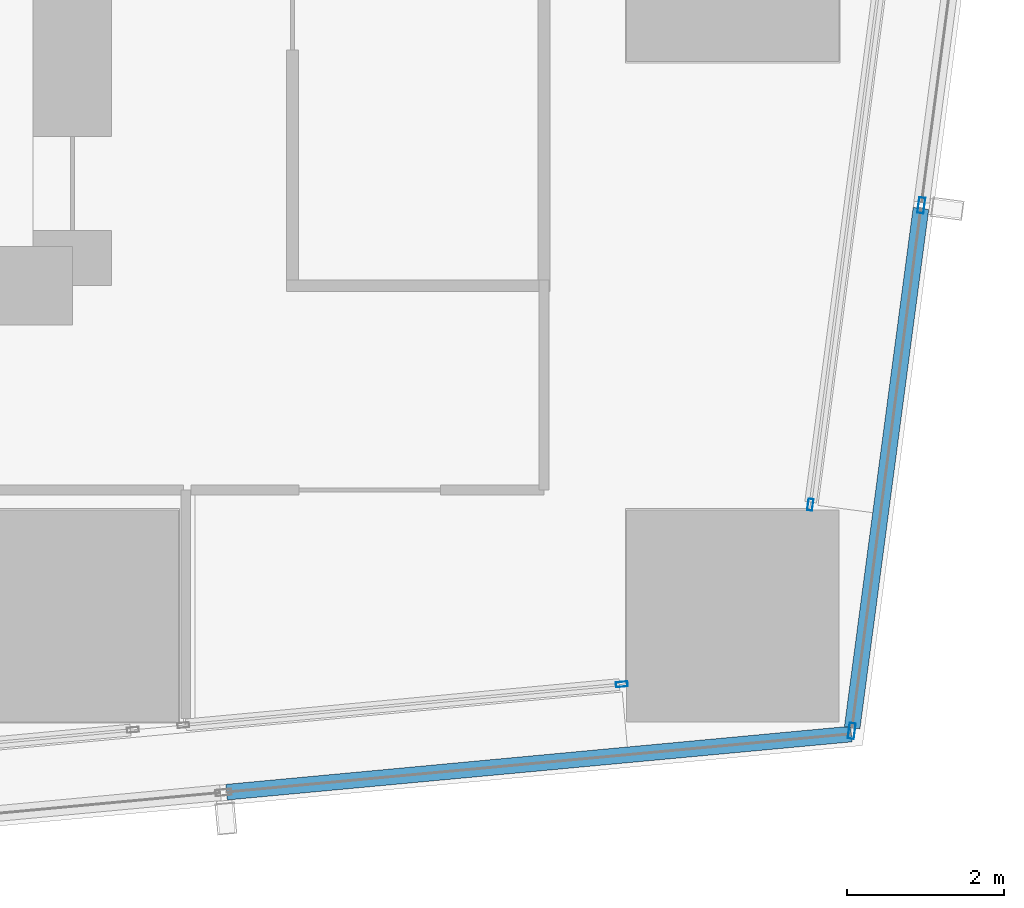
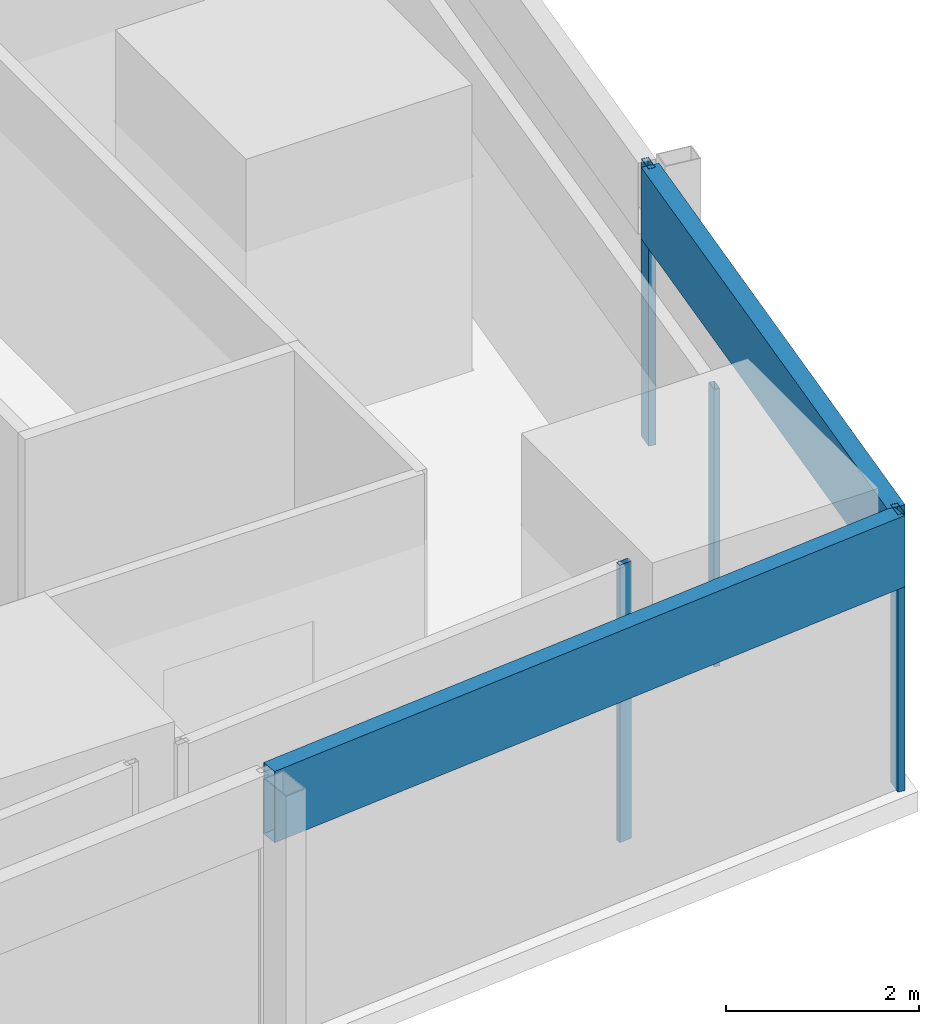
# One storey, part 10 of 36: 6 members, 4 elements without a shape of their own.
"""IFC4 building model written with IfcOpenShell, lengths in metres."""

from ifc_helpers import new_model, si_unit, direction, frame, origin, origin_2d, place, context, subcontext, project, spatial, hollow_rectangle, extrude, material, material_profile, profile_set, type_object, element, aggregate, save


model = new_model("IFC4")

# Units and contexts
model_context = context("Model", 3, precision=1e-05, world=origin(), true_north=direction((0.0, 1.0)))
body_context = subcontext(model_context, "Body", "Model", "MODEL_VIEW")
ifc_project = project(units=[si_unit("LENGTHUNIT", "METRE"), si_unit("AREAUNIT", "SQUARE_METRE"), si_unit("VOLUMEUNIT", "CUBIC_METRE"), si_unit("PLANEANGLEUNIT", "RADIAN"), si_unit("MASSUNIT", "GRAM", prefix="KILO")], contexts=[model_context])

# Site, building, storey
site_placement = place(None, origin())
site = spatial("IfcSite", under=ifc_project, at=site_placement, CompositionType="ELEMENT")
building_placement = place(site_placement, origin())
building = spatial("IfcBuilding", under=site, at=building_placement, Name="Rekha Terrace Tower", CompositionType="ELEMENT")
storey_placement = place(building_placement, frame((0.0, 0.0, 172.699951171875)))
storey = spatial("IfcBuildingStorey", under=building, at=storey_placement, Name="L43", CompositionType="ELEMENT", Elevation=172.699951171875)

# Curtain wall, member
ifc_material_1 = material(Name="Aluminium framing", Category="aluminium")
curtain_wall_type_1 = type_object("IfcCurtainWallType", Name="CW1 double skin inner glazing", PredefinedType="USERDEFINED", material=ifc_material_1)
curtain_wall_1_placement = place(storey_placement, origin())
curtain_wall_1 = element("IfcCurtainWall", 1, at=curtain_wall_1_placement, inside=storey, type_object=curtain_wall_type_1, Name="CW1 double skin inner glazing", ObjectType="DOUBLE SKIN INNER GLAZING", PredefinedType="USERDEFINED")
ifc_material_2 = material(Name="Aluminium mullion section", Category="aluminium")
ifc_material_profile_1 = material_profile(ifc_material_2, hollow_rectangle(XDim=0.06494140625, YDim=0.14990234375, WallThickness=0.00390625, at=origin_2d()), Name="AL RHS 65x150")
ifc_profile_set_1 = profile_set([ifc_material_profile_1], Name="Aluminium mullion section")
member_type_1 = type_object("IfcMemberType", Name="CW1 mullion RHS 65 x 150", PredefinedType="MULLION", material=ifc_profile_set_1)
member_1_placement = place(storey_placement, frame((57.388916015625, 15.9296875, 0.0), z_axis=(0.0, 0.0, 1.0), x_axis=(-0.092708869512, 0.995693258747, 0.0)))
member_1 = element("IfcMember", 2, at=member_1_placement, type_object=member_type_1, Name="CW1 mullion 2", PredefinedType="MULLION", context=body_context, shape_type="SweptSolid", body=[
    extrude(hollow_rectangle(XDim=0.06494140625, YDim=0.14990234375, WallThickness=0.00390625, at=origin_2d()), origin(), (0.0, 0.0, 1.0), 3.5),
])
aggregate(curtain_wall_1, [member_1])

curtain_wall_2_placement = place(storey_placement, origin())
curtain_wall_2 = element("IfcCurtainWall", 3, at=curtain_wall_2_placement, inside=storey, type_object=curtain_wall_type_1, Name="CW1 double skin inner glazing", ObjectType="DOUBLE SKIN INNER GLAZING", PredefinedType="USERDEFINED")
member_2_placement = place(storey_placement, frame((59.78662109375, 18.214599609375, 0.0), z_axis=(0.0, 0.0, 1.0), x_axis=(-0.991342203196, 0.131303603006, 0.0)))
member_2 = element("IfcMember", 4, at=member_2_placement, type_object=member_type_1, Name="CW1 mullion 1", PredefinedType="MULLION", context=body_context, shape_type="SweptSolid", body=[
    extrude(hollow_rectangle(XDim=0.06494140625, YDim=0.14990234375, WallThickness=0.00390625, at=origin_2d()), origin(), (0.0, 0.0, 1.0), 3.5),
])
aggregate(curtain_wall_2, [member_2])

# Curtain wall, members
curtain_wall_type_2 = type_object("IfcCurtainWallType", Name="CW2 double skin outer glazing", PredefinedType="USERDEFINED", material=ifc_material_1)
curtain_wall_3_placement = place(storey_placement, origin())
curtain_wall_3 = element("IfcCurtainWall", 5, at=curtain_wall_3_placement, inside=storey, type_object=curtain_wall_type_2, Name="CW2 double skin outer glazing", ObjectType="DOUBLE SKIN OUTER GLAZING", PredefinedType="USERDEFINED")
ifc_material_profile_2 = material_profile(ifc_material_2, hollow_rectangle(XDim=0.080078125, YDim=0.199951171875, WallThickness=0.00390625, at=origin_2d()), Name="AL RHS 80x200")
ifc_profile_set_2 = profile_set([ifc_material_profile_2], Name="Aluminium mullion section")
member_type_2 = type_object("IfcMemberType", Name="CW2 mullion RHS 80 x 200", PredefinedType="MULLION", material=ifc_profile_set_2)
member_3_placement = place(storey_placement, frame((60.3134765625, 15.337158203125, 0.0), z_axis=(0.0, 0.0, 1.0), x_axis=(-0.991342203187, 0.131303603075, 0.0)))
member_3 = element("IfcMember", 6, at=member_3_placement, type_object=member_type_2, Name="CW2 mullion 1", PredefinedType="MULLION", context=body_context, shape_type="SweptSolid", body=[
    extrude(hollow_rectangle(XDim=0.080078125, YDim=0.199951171875, WallThickness=0.00390625, at=origin_2d()), origin(), (0.0, 0.0, 1.0), 3.5),
])
member_4_placement = place(storey_placement, frame((61.19873046875, 22.021728515625, 0.0), z_axis=(0.0, 0.0, 1.0), x_axis=(-0.991342203187, 0.131303603075, 0.0)))
member_4 = element("IfcMember", 7, at=member_4_placement, type_object=member_type_2, Name="CW2 mullion 2", PredefinedType="MULLION", context=body_context, shape_type="SweptSolid", body=[
    extrude(hollow_rectangle(XDim=0.080078125, YDim=0.199951171875, WallThickness=0.00390625, at=origin_2d()), origin(), (0.0, 0.0, 1.0), 3.5),
])

# Curtain wall, member
curtain_wall_4_placement = place(storey_placement, origin())
curtain_wall_4 = element("IfcCurtainWall", 8, at=curtain_wall_4_placement, inside=storey, type_object=curtain_wall_type_2, Name="CW2 double skin outer glazing", ObjectType="DOUBLE SKIN OUTER GLAZING", PredefinedType="USERDEFINED")
ifc_material_3 = material(Name="Insulated aluminium spandrel box", Category="aluminium")
ifc_material_profile_3 = material_profile(ifc_material_3, hollow_rectangle(XDim=0.199951171875, YDim=0.89990234375, WallThickness=0.0029296875, at=origin_2d()), Name="AL SPANDREL BOX 200x900")
ifc_profile_set_3 = profile_set([ifc_material_profile_3], Name="Insulated aluminium spandrel box")
member_type_3 = type_object("IfcMemberType", Name="CW2 spandrel transom 200 x 900", PredefinedType="USERDEFINED", material=ifc_profile_set_3)
member_5_placement = place(storey_placement, frame((52.36181640625, 14.5576171875, 3.050048828125), z_axis=(0.99569478362, 0.092692490917, 0.0), x_axis=(-0.092692490917, 0.99569478362, 0.0)))
member_5 = element("IfcMember", 9, at=member_5_placement, type_object=member_type_3, Name="CW2 spandrel transom 2", ObjectType="TRANSOM", PredefinedType="USERDEFINED", context=body_context, shape_type="SweptSolid", body=[
    extrude(hollow_rectangle(XDim=0.199951171875, YDim=0.89990234375, WallThickness=0.0029296875, at=origin_2d()), origin(), (0.0, 0.0, 1.0), 7.980712890625),
])
aggregate(curtain_wall_4, [member_5])

# Member
member_6_placement = place(storey_placement, frame((60.318603515625, 15.376708984375, 3.050048828125), z_axis=(0.131318864981, 0.991340181623, 0.0), x_axis=(-0.991340181623, 0.131318864981, 0.0)))
member_6 = element("IfcMember", 10, at=member_6_placement, type_object=member_type_3, Name="CW2 spandrel transom 1", ObjectType="TRANSOM", PredefinedType="USERDEFINED", context=body_context, shape_type="SweptSolid", body=[
    extrude(hollow_rectangle(XDim=0.199951171875, YDim=0.89990234375, WallThickness=0.0029296875, at=origin_2d()), origin(), (0.0, 0.0, 1.0), 6.6630859375),
])

aggregate(curtain_wall_3, [member_3, member_4, member_6])

save(model, "model.ifc")
